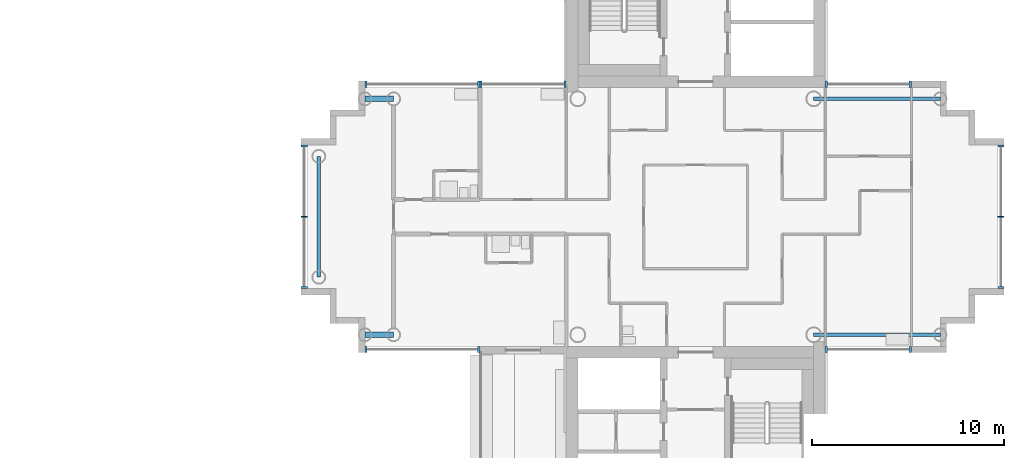
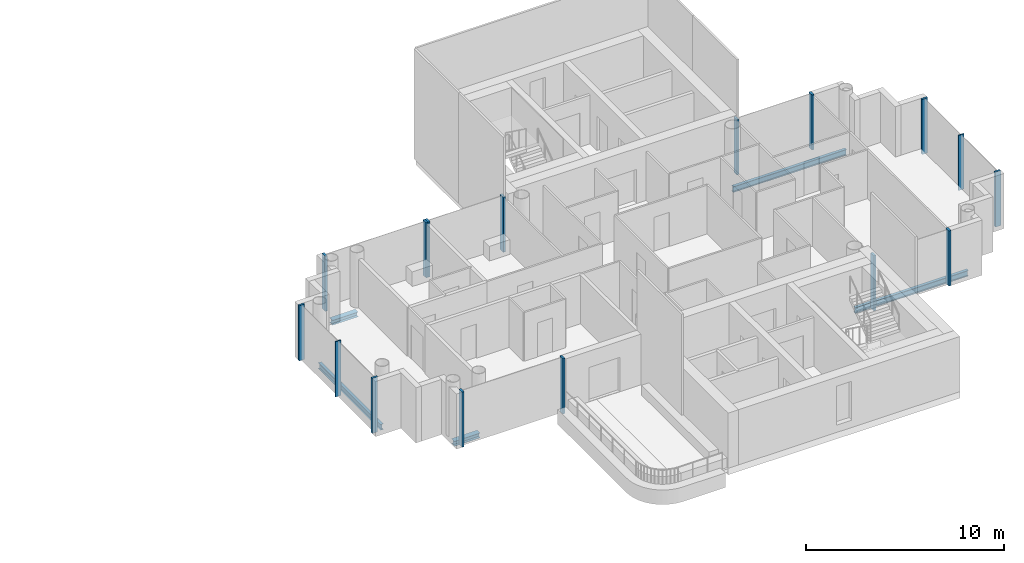
# One storey, part 4 of 18: 16 members, 5 beams, 7 elements without a shape of their own.
"""IFC4 building model written with IfcOpenShell, lengths in metres."""

from ifc_helpers import new_model, si_unit, direction, frame, origin, origin_2d, place, context, subcontext, project, spatial, rectangle, i_section, extrude, material, layer, layer_set, material_profile, profile_set, type_object, element, aggregate, save


model = new_model("IFC4")

# Units and contexts
model_context = context("Model", 3, precision=1e-05, world=origin(), true_north=direction((0.0, 1.0)))
body_context = subcontext(model_context, "Body", "Model", "MODEL_VIEW")
ifc_project = project(units=[si_unit("LENGTHUNIT", "METRE"), si_unit("AREAUNIT", "SQUARE_METRE"), si_unit("VOLUMEUNIT", "CUBIC_METRE"), si_unit("PLANEANGLEUNIT", "RADIAN"), si_unit("MASSUNIT", "GRAM", prefix="KILO")], contexts=[model_context])

# Site, building, storey
site_placement = place(None, origin())
site = spatial("IfcSite", under=ifc_project, at=site_placement, CompositionType="ELEMENT")
building_placement = place(site_placement, origin())
building = spatial("IfcBuilding", under=site, at=building_placement, Name="Ipe Terrace Towers", CompositionType="ELEMENT")
storey_placement = place(building_placement, frame((0.0, 0.0, 206.199951171875)))
storey = spatial("IfcBuildingStorey", under=building, at=storey_placement, Name="L57", CompositionType="ELEMENT", Elevation=206.199951171875)

# Beams
ifc_material_1 = material(Name="Steel S355", Category="steel")
ifc_material_profile_1 = material_profile(ifc_material_1, i_section(OverallWidth=0.300048828125, OverallDepth=0.300048828125, WebThickness=0.010009765625, FlangeThickness=0.014892578125, at=origin_2d()), Name="H-300x300x10x15")
ifc_profile_set_1 = profile_set([ifc_material_profile_1], Name="Steel S355")
beam_type_1 = type_object("IfcBeamType", Name="H03 EDGE BEAM H-300x300x10x15", PredefinedType="BEAM", material=ifc_profile_set_1)
for number, where, z_axis, x_axis, name in (
    (1, (20.25, 6.14990234375, -0.550048828125), (-1.0, 0.0, 0.0), (0.0, -1.0, 0.0), "Edge beam T2-EB-B03-B05"),
    (2, (20.25, -6.14990234375, -0.550048828125), (-1.0, 0.0, 0.0), (0.0, -1.0, 0.0), "Edge beam T2-EB-B04-B06"),
):
    element("IfcBeam", number, at=place(storey_placement, frame(where, z_axis=z_axis, x_axis=x_axis)), inside=storey, type_object=beam_type_1, Name=name, PredefinedType="BEAM", context=body_context, shape_type="SweptSolid", body=[
        extrude(i_section(OverallWidth=0.300048828125, OverallDepth=0.300048828125, WebThickness=0.010009765625, FlangeThickness=0.014892578125, at=origin_2d()), origin(), (0.0, 0.0, 1.0), 1.5),
    ])
ifc_material_2 = material(Name="Steel S355", Category="steel")
ifc_material_profile_2 = material_profile(ifc_material_2, i_section(OverallWidth=0.175048828125, OverallDepth=0.35009765625, WebThickness=0.007080078125, FlangeThickness=0.010986328125, at=origin_2d()), Name="H-350x175x7x11")
ifc_profile_set_2 = profile_set([ifc_material_profile_2], Name="Steel S355")
beam_type_2 = type_object("IfcBeamType", Name="H04 EDGE BEAM H-350x175x7x11", PredefinedType="BEAM", material=ifc_profile_set_2)
beam_placement = place(storey_placement, frame((16.35009765625, 3.14990234375, -0.574951171875), z_axis=(0.0, -1.0, 0.0), x_axis=(1.0, 0.0, 0.0)))
element("IfcBeam", 3, at=beam_placement, inside=storey, type_object=beam_type_2, Name="Edge beam T2-EB-B07-B08", PredefinedType="BEAM", context=body_context, shape_type="SweptSolid", body=[
    extrude(i_section(OverallWidth=0.175048828125, OverallDepth=0.35009765625, WebThickness=0.007080078125, FlangeThickness=0.010986328125, at=origin_2d()), origin(), (0.0, 0.0, 1.0), 6.2998046875),
])
for number, where, z_axis, x_axis, name in (
    (4, (48.75, -6.14990234375, -0.574951171875), (-1.0, 0.0, 0.0), (0.0, -1.0, 0.0), "Edge beam T2-EB-D01-E01"),
    (5, (48.75, 6.14990234375, -0.574951171875), (-1.0, 0.0, 0.0), (0.0, -1.0, 0.0), "Edge beam T2-EB-D02-E02"),
):
    element("IfcBeam", number, at=place(storey_placement, frame(where, z_axis=z_axis, x_axis=x_axis)), inside=storey, type_object=beam_type_2, Name=name, PredefinedType="BEAM", context=body_context, shape_type="SweptSolid", body=[
        extrude(i_section(OverallWidth=0.175048828125, OverallDepth=0.35009765625, WebThickness=0.007080078125, FlangeThickness=0.010986328125, at=origin_2d()), origin(), (0.0, 0.0, 1.0), 6.60009765625),
    ])

# Curtain wall, members
ifc_material_3 = material(Name="Aluminium alloy 6063-T6", Category="aluminium")
ifc_layer = layer(ifc_material_3, 0.320068359375)
ifc_layer_set = layer_set([ifc_layer], Name="TOWER UNITISED CURTAIN WALL")
curtain_wall_type = type_object("IfcCurtainWallType", Name="TOWER UNITISED CURTAIN WALL", PredefinedType="NOTDEFINED", material=ifc_layer_set)
curtain_wall_1_placement = place(storey_placement, origin())
curtain_wall_1 = element("IfcCurtainWall", 6, at=curtain_wall_1_placement, inside=storey, type_object=curtain_wall_type, Name="T2-CW-L57-02a curtain wall", PredefinedType="NOTDEFINED")
ifc_material_4 = material(Name="Aluminium alloy 6063-T6", Category="aluminium")
ifc_material_profile_3 = material_profile(ifc_material_4, rectangle(XDim=0.320068359375, YDim=0.1201171875, at=origin_2d()), Name="TOWER UNITISED CORNER MULLION 320 x 120")
ifc_profile_set_3 = profile_set([ifc_material_profile_3], Name="Aluminium alloy 6063-T6")
member_type_1 = type_object("IfcMemberType", Name="TOWER UNITISED CORNER MULLION 320 x 120", PredefinedType="MULLION", material=ifc_profile_set_3)
member_1_placement = place(storey_placement, frame((42.81005859375, -6.909912109375, -0.300048828125), z_axis=(0.0, 0.0, 1.0), x_axis=(0.0, -1.0, 0.0)))
member_1 = element("IfcMember", 7, at=member_1_placement, type_object=member_type_1, Name="T2-CW-L57-02a mullion 1", PredefinedType="MULLION", context=body_context, shape_type="SweptSolid", body=[
    extrude(rectangle(XDim=0.320068359375, YDim=0.1201171875, at=origin_2d()), origin(), (0.0, 0.0, 1.0), 3.400146484375),
])
member_2_placement = place(storey_placement, frame((47.18994140625, -6.909912109375, -0.300048828125), z_axis=(0.0, 0.0, 1.0), x_axis=(0.0, -1.0, 0.0)))
member_2 = element("IfcMember", 8, at=member_2_placement, type_object=member_type_1, Name="T2-CW-L57-02a mullion 2", PredefinedType="MULLION", context=body_context, shape_type="SweptSolid", body=[
    extrude(rectangle(XDim=0.320068359375, YDim=0.1201171875, at=origin_2d()), origin(), (0.0, 0.0, 1.0), 3.400146484375),
])
aggregate(curtain_wall_1, [member_1, member_2])

curtain_wall_2_placement = place(storey_placement, origin())
curtain_wall_2 = element("IfcCurtainWall", 9, at=curtain_wall_2_placement, inside=storey, type_object=curtain_wall_type, Name="T2-CW-L57-08a curtain wall", PredefinedType="NOTDEFINED")
member_3_placement = place(storey_placement, frame((51.909912109375, -3.68994140625, -0.300048828125), z_axis=(0.0, 0.0, 1.0), x_axis=(1.0, 0.0, 0.0)))
member_3 = element("IfcMember", 10, at=member_3_placement, type_object=member_type_1, Name="T2-CW-L57-08a mullion 1", PredefinedType="MULLION", context=body_context, shape_type="SweptSolid", body=[
    extrude(rectangle(XDim=0.320068359375, YDim=0.1201171875, at=origin_2d()), origin(), (0.0, 0.0, 1.0), 3.400146484375),
])
member_4_placement = place(storey_placement, frame((51.909912109375, 3.68994140625, -0.300048828125), z_axis=(0.0, 0.0, 1.0), x_axis=(1.0, 0.0, 0.0)))
member_4 = element("IfcMember", 11, at=member_4_placement, type_object=member_type_1, Name="T2-CW-L57-08a mullion 3", PredefinedType="MULLION", context=body_context, shape_type="SweptSolid", body=[
    extrude(rectangle(XDim=0.320068359375, YDim=0.1201171875, at=origin_2d()), origin(), (0.0, 0.0, 1.0), 3.400146484375),
])

curtain_wall_3_placement = place(storey_placement, origin())
curtain_wall_3 = element("IfcCurtainWall", 12, at=curtain_wall_3_placement, inside=storey, type_object=curtain_wall_type, Name="T2-CW-L57-14a curtain wall", PredefinedType="NOTDEFINED")
member_5_placement = place(storey_placement, frame((47.18994140625, 6.909912109375, -0.300048828125), z_axis=(0.0, 0.0, 1.0), x_axis=(0.0, 1.0, 0.0)))
member_5 = element("IfcMember", 13, at=member_5_placement, type_object=member_type_1, Name="T2-CW-L57-14a mullion 1", PredefinedType="MULLION", context=body_context, shape_type="SweptSolid", body=[
    extrude(rectangle(XDim=0.320068359375, YDim=0.1201171875, at=origin_2d()), origin(), (0.0, 0.0, 1.0), 3.400146484375),
])
member_6_placement = place(storey_placement, frame((42.81005859375, 6.909912109375, -0.300048828125), z_axis=(0.0, 0.0, 1.0), x_axis=(0.0, 1.0, 0.0)))
member_6 = element("IfcMember", 14, at=member_6_placement, type_object=member_type_1, Name="T2-CW-L57-14a mullion 2", PredefinedType="MULLION", context=body_context, shape_type="SweptSolid", body=[
    extrude(rectangle(XDim=0.320068359375, YDim=0.1201171875, at=origin_2d()), origin(), (0.0, 0.0, 1.0), 3.400146484375),
])
aggregate(curtain_wall_3, [member_5, member_6])

curtain_wall_4_placement = place(storey_placement, origin())
curtain_wall_4 = element("IfcCurtainWall", 15, at=curtain_wall_4_placement, inside=storey, type_object=curtain_wall_type, Name="T2-CW-L57-20a curtain wall", PredefinedType="NOTDEFINED")
member_7_placement = place(storey_placement, frame((29.18994140625, 6.909912109375, -0.300048828125), z_axis=(0.0, 0.0, 1.0), x_axis=(0.0, 1.0, 0.0)))
member_7 = element("IfcMember", 16, at=member_7_placement, type_object=member_type_1, Name="T2-CW-L57-20a mullion 1", PredefinedType="MULLION", context=body_context, shape_type="SweptSolid", body=[
    extrude(rectangle(XDim=0.320068359375, YDim=0.1201171875, at=origin_2d()), origin(), (0.0, 0.0, 1.0), 3.400146484375),
])
member_8_placement = place(storey_placement, frame((24.81005859375, 6.909912109375, -0.300048828125), z_axis=(0.0, 0.0, 1.0), x_axis=(0.0, 1.0, 0.0)))
member_8 = element("IfcMember", 17, at=member_8_placement, type_object=member_type_1, Name="T2-CW-L57-20a mullion 2", PredefinedType="MULLION", context=body_context, shape_type="SweptSolid", body=[
    extrude(rectangle(XDim=0.320068359375, YDim=0.1201171875, at=origin_2d()), origin(), (0.0, 0.0, 1.0), 3.400146484375),
])
aggregate(curtain_wall_4, [member_7, member_8])

curtain_wall_5_placement = place(storey_placement, origin())
curtain_wall_5 = element("IfcCurtainWall", 18, at=curtain_wall_5_placement, inside=storey, type_object=curtain_wall_type, Name="T2-CW-L57-21a curtain wall", PredefinedType="NOTDEFINED")
member_9_placement = place(storey_placement, frame((24.68994140625, 6.909912109375, -0.300048828125), z_axis=(0.0, 0.0, 1.0), x_axis=(0.0, 1.0, 0.0)))
member_9 = element("IfcMember", 19, at=member_9_placement, type_object=member_type_1, Name="T2-CW-L57-21a mullion 1", PredefinedType="MULLION", context=body_context, shape_type="SweptSolid", body=[
    extrude(rectangle(XDim=0.320068359375, YDim=0.1201171875, at=origin_2d()), origin(), (0.0, 0.0, 1.0), 3.400146484375),
])
member_10_placement = place(storey_placement, frame((18.81005859375, 6.909912109375, -0.300048828125), z_axis=(0.0, 0.0, 1.0), x_axis=(0.0, 1.0, 0.0)))
member_10 = element("IfcMember", 20, at=member_10_placement, type_object=member_type_1, Name="T2-CW-L57-21a mullion 2", PredefinedType="MULLION", context=body_context, shape_type="SweptSolid", body=[
    extrude(rectangle(XDim=0.320068359375, YDim=0.1201171875, at=origin_2d()), origin(), (0.0, 0.0, 1.0), 3.400146484375),
])
aggregate(curtain_wall_5, [member_9, member_10])

curtain_wall_6_placement = place(storey_placement, origin())
curtain_wall_6 = element("IfcCurtainWall", 21, at=curtain_wall_6_placement, inside=storey, type_object=curtain_wall_type, Name="T2-CW-L57-26a curtain wall", PredefinedType="NOTDEFINED")
member_11_placement = place(storey_placement, frame((15.590087890625, 3.68994140625, -0.300048828125), z_axis=(0.0, 0.0, 1.0), x_axis=(-1.0, 0.0, 0.0)))
member_11 = element("IfcMember", 22, at=member_11_placement, type_object=member_type_1, Name="T2-CW-L57-26a mullion 1", PredefinedType="MULLION", context=body_context, shape_type="SweptSolid", body=[
    extrude(rectangle(XDim=0.320068359375, YDim=0.1201171875, at=origin_2d()), origin(), (0.0, 0.0, 1.0), 3.400146484375),
])
member_12_placement = place(storey_placement, frame((15.590087890625, -3.68994140625, -0.300048828125), z_axis=(0.0, 0.0, 1.0), x_axis=(-1.0, 0.0, 0.0)))
member_12 = element("IfcMember", 23, at=member_12_placement, type_object=member_type_1, Name="T2-CW-L57-26a mullion 3", PredefinedType="MULLION", context=body_context, shape_type="SweptSolid", body=[
    extrude(rectangle(XDim=0.320068359375, YDim=0.1201171875, at=origin_2d()), origin(), (0.0, 0.0, 1.0), 3.400146484375),
])

curtain_wall_7_placement = place(storey_placement, origin())
curtain_wall_7 = element("IfcCurtainWall", 24, at=curtain_wall_7_placement, inside=storey, type_object=curtain_wall_type, Name="T2-CW-L57-31a curtain wall", PredefinedType="NOTDEFINED")
member_13_placement = place(storey_placement, frame((18.81005859375, -6.909912109375, -0.300048828125), z_axis=(0.0, 0.0, 1.0), x_axis=(0.0, -1.0, 0.0)))
member_13 = element("IfcMember", 25, at=member_13_placement, type_object=member_type_1, Name="T2-CW-L57-31a mullion 1", PredefinedType="MULLION", context=body_context, shape_type="SweptSolid", body=[
    extrude(rectangle(XDim=0.320068359375, YDim=0.1201171875, at=origin_2d()), origin(), (0.0, 0.0, 1.0), 3.400146484375),
])
member_14_placement = place(storey_placement, frame((24.68994140625, -6.909912109375, -0.300048828125), z_axis=(0.0, 0.0, 1.0), x_axis=(0.0, -1.0, 0.0)))
member_14 = element("IfcMember", 26, at=member_14_placement, type_object=member_type_1, Name="T2-CW-L57-31a mullion 2", PredefinedType="MULLION", context=body_context, shape_type="SweptSolid", body=[
    extrude(rectangle(XDim=0.320068359375, YDim=0.1201171875, at=origin_2d()), origin(), (0.0, 0.0, 1.0), 3.400146484375),
])
aggregate(curtain_wall_7, [member_13, member_14])

# Member
ifc_material_5 = material(Name="Aluminium alloy 6063-T6", Category="aluminium")
ifc_material_profile_4 = material_profile(ifc_material_5, rectangle(XDim=0.320068359375, YDim=0.06494140625, at=origin_2d()), Name="TOWER UNITISED MULLION 320 x 65")
ifc_profile_set_4 = profile_set([ifc_material_profile_4], Name="Aluminium alloy 6063-T6")
member_type_2 = type_object("IfcMemberType", Name="TOWER UNITISED MULLION 320 x 65", PredefinedType="MULLION", material=ifc_profile_set_4)
member_15_placement = place(storey_placement, frame((51.909912109375, 0.0, -0.300048828125), z_axis=(0.0, 0.0, 1.0), x_axis=(1.0, 0.0, 0.0)))
member_15 = element("IfcMember", 27, at=member_15_placement, type_object=member_type_2, Name="T2-CW-L57-08a mullion 2", PredefinedType="MULLION", context=body_context, shape_type="SweptSolid", body=[
    extrude(rectangle(XDim=0.320068359375, YDim=0.06494140625, at=origin_2d()), origin(), (0.0, 0.0, 1.0), 3.400146484375),
])

aggregate(curtain_wall_2, [member_3, member_15, member_4])

member_16_placement = place(storey_placement, frame((15.590087890625, 0.0, -0.300048828125), z_axis=(0.0, 0.0, 1.0), x_axis=(-1.0, 0.0, 0.0)))
member_16 = element("IfcMember", 28, at=member_16_placement, type_object=member_type_2, Name="T2-CW-L57-26a mullion 2", PredefinedType="MULLION", context=body_context, shape_type="SweptSolid", body=[
    extrude(rectangle(XDim=0.320068359375, YDim=0.06494140625, at=origin_2d()), origin(), (0.0, 0.0, 1.0), 3.400146484375),
])

aggregate(curtain_wall_6, [member_11, member_16, member_12])

save(model, "model.ifc")
